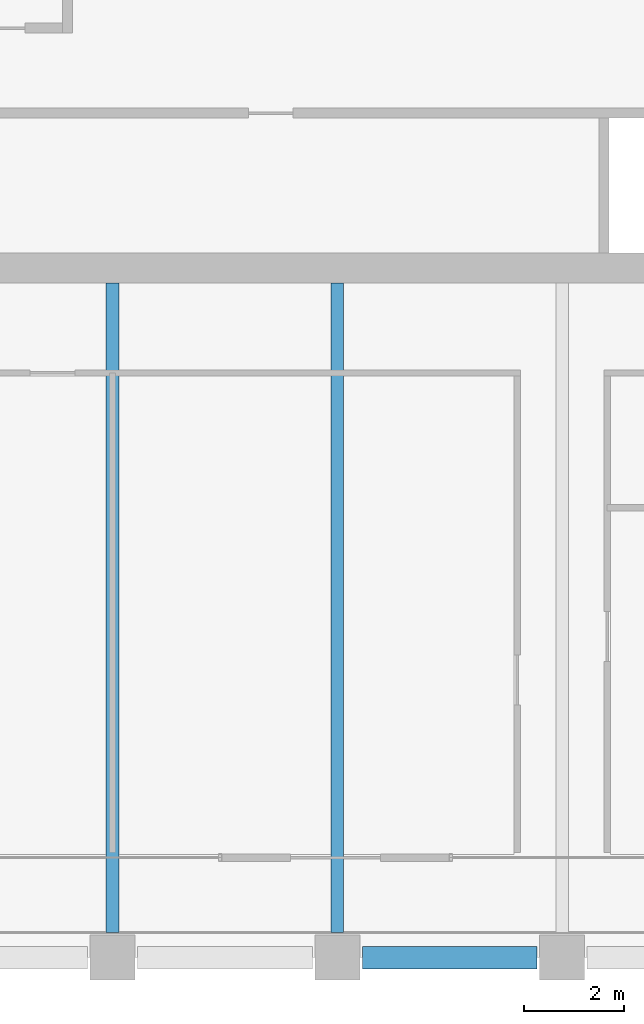
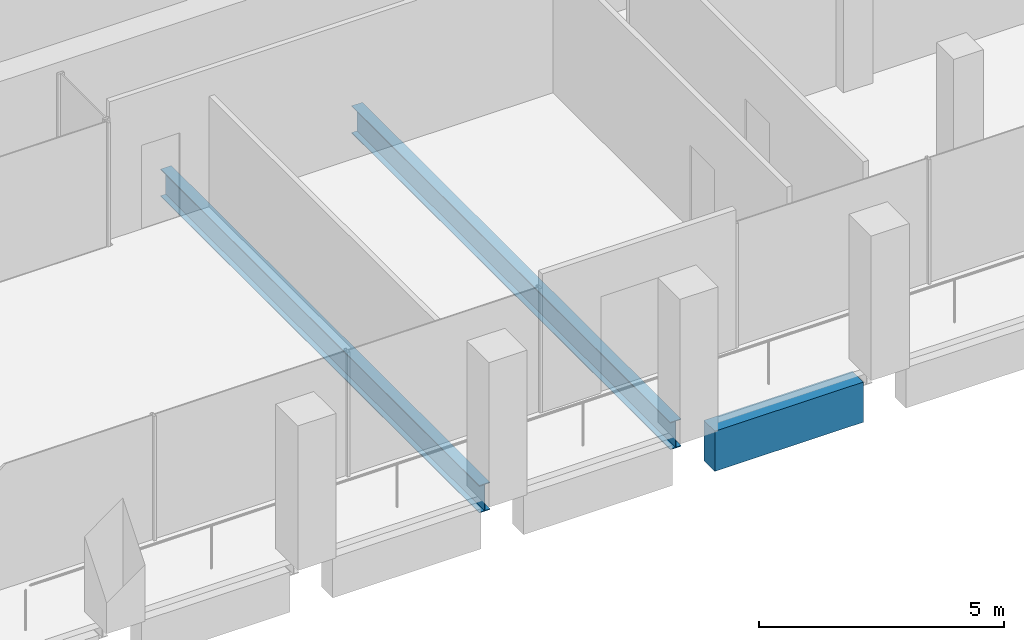
# One storey, part 8 of 44: 3 beams.
"""IFC4 building model written with IfcOpenShell, lengths in metres."""

import ifcopenshell
import ifcopenshell.guid

model = None  # the IFC model being written
_history = None  # IfcOwnerHistory: only IFC2X3 demands one
_inside = {}  # id of a spatial element -> (the spatial element, [elements in it])
_under = {}  # id of a project, library or spatial element -> (it, [spatial elements below it])
_declared = {}  # id of a project -> (the project, [libraries it declares])
_typed = {}  # id of a type object -> (the type object, [elements of that type])
_made_of = {}  # id of a material, layer set ... -> (it, [elements and type objects made of it])


def new_model(schema):
    """Start an empty IFC model of exactly this schema.

    Asked for "IFC4X3", IfcOpenShell would pick the latest addendum, in which some entities
    have other attributes; the version numbers below select the first issue.
    IFC2X3 requires an IfcOwnerHistory on every rooted entity: one is made here for all.
    """
    global model, _history
    if schema == "IFC4X3":
        model = ifcopenshell.file(schema_version=(4, 3, 0, 0))
    else:
        model = ifcopenshell.file(schema=schema)
    _inside.clear()
    _under.clear()
    _declared.clear()
    _typed.clear()
    _made_of.clear()
    _history = None
    if model.schema == "IFC2X3":
        org = make("IfcOrganization", Name="unknown")
        user = make(
            "IfcPersonAndOrganization",
            ThePerson=make("IfcPerson", FamilyName="unknown"),
            TheOrganization=org,
        )
        app = make(
            "IfcApplication",
            ApplicationDeveloper=org,
            Version="unknown",
            ApplicationFullName="unknown",
            ApplicationIdentifier="unknown",
        )
        _history = make(
            "IfcOwnerHistory",
            OwningUser=user,
            OwningApplication=app,
            ChangeAction="ADDED",
            CreationDate=0,
        )
    return model


def make(cls, **values):
    """One entity of the class cls with the attributes given. An attribute that is None is left unset."""
    return model.create_entity(
        cls, **{name: value for name, value in values.items() if value is not None}
    )


def rooted(cls, **values):
    """An entity with a GlobalId (a new one), such as an element, a storey or a relation."""
    return make(cls, GlobalId=ifcopenshell.guid.new(), OwnerHistory=_history, **values)


def si_unit(unit_type, name, prefix=None):
    """IfcSIUnit, for example si_unit("LENGTHUNIT", "METRE", prefix="MILLI")."""
    return make("IfcSIUnit", UnitType=unit_type, Prefix=prefix, Name=name)


def assignment(units):
    """IfcUnitAssignment: the units of a project."""
    return None if units is None else make("IfcUnitAssignment", Units=units)


def point(xyz):
    """IfcCartesianPoint."""
    return None if xyz is None else make("IfcCartesianPoint", Coordinates=xyz)


def direction(xyz):
    """IfcDirection."""
    return None if xyz is None else make("IfcDirection", DirectionRatios=xyz)


def frame(location, z_axis=None, x_axis=None):
    """IfcAxis2Placement3D, a coordinate frame: its origin and axes. An axis left out is left unset."""
    return make(
        "IfcAxis2Placement3D",
        Location=point(location),
        Axis=direction(z_axis),
        RefDirection=direction(x_axis),
    )


def frame_2d(location, x_axis=None):
    """IfcAxis2Placement2D, a coordinate frame in the plane: its origin and x axis."""
    return make(
        "IfcAxis2Placement2D", Location=point(location), RefDirection=direction(x_axis)
    )


def origin():
    """The frame at (0, 0, 0) with its axes left unset."""
    return frame((0.0, 0.0, 0.0))


def origin_2d():
    """The frame at (0, 0) in the plane with its x axis left unset."""
    return frame_2d((0.0, 0.0))


def place(relative_to, where):
    """IfcLocalPlacement: puts the frame where relative to a parent placement (None: the world)."""
    return make(
        "IfcLocalPlacement", PlacementRelTo=relative_to, RelativePlacement=where
    )


def context(
    kind, dimensions, precision=None, world=None, true_north=None, identifier=None
):
    """IfcGeometricRepresentationContext, for example the 3D "Model" context."""
    return make(
        "IfcGeometricRepresentationContext",
        ContextIdentifier=identifier,
        ContextType=kind,
        CoordinateSpaceDimension=dimensions,
        Precision=precision,
        WorldCoordinateSystem=world,
        TrueNorth=true_north,
    )


def subcontext(parent, identifier, kind, view, scale=None):
    """IfcGeometricRepresentationSubContext, for example "Body" below "Model"."""
    return make(
        "IfcGeometricRepresentationSubContext",
        ContextIdentifier=identifier,
        ContextType=kind,
        ParentContext=parent,
        TargetScale=scale,
        TargetView=view,
    )


def project(units=None, contexts=None):
    """IfcProject with its units and contexts."""
    return rooted(
        "IfcProject",
        Name="project",
        RepresentationContexts=contexts,
        UnitsInContext=assignment(units),
    )


def spatial(cls, under=None, at=None, **own):
    """A site, building, storey or space (cls), placed at a placement, below another one or the project."""
    s = rooted(cls, ObjectPlacement=at, **own)
    if under is not None:
        _under.setdefault(under.id(), (under, []))[1].append(s)
    return s


def profile(cls, at=None, kind="AREA", **sizes):
    """A parametric profile (cls). Its sizes go by their IFC names, for example OverallWidth=200.0."""
    return make(cls, ProfileType=kind, Position=at, **sizes)


def rectangle(**sizes):
    """IfcRectangleProfileDef."""
    return profile("IfcRectangleProfileDef", **sizes)


def i_section(**sizes):
    """IfcIShapeProfileDef."""
    return profile("IfcIShapeProfileDef", **sizes)


def extrude(swept, where, along, depth):
    """IfcExtrudedAreaSolid: the profile swept, set in the frame where, extruded along a direction by depth."""
    return make(
        "IfcExtrudedAreaSolid",
        SweptArea=swept,
        Position=where,
        ExtrudedDirection=direction(along),
        Depth=depth,
    )


def shape(context_of_items, identifier, shape_type, items):
    """IfcShapeRepresentation: the items that make up one representation, for example the "Body"."""
    return make(
        "IfcShapeRepresentation",
        ContextOfItems=context_of_items,
        RepresentationIdentifier=identifier,
        RepresentationType=shape_type,
        Items=items,
    )


def material(Name=None, Category=None):
    """IfcMaterial."""
    return make("IfcMaterial", Name=Name, Category=Category)


def material_profile(
    of_material, cross_section, Name=None, Category=None, Priority=None
):
    """IfcMaterialProfile: a cross section and its material."""
    return make(
        "IfcMaterialProfile",
        Name=Name,
        Material=of_material,
        Profile=cross_section,
        Priority=Priority,
        Category=Category,
    )


def profile_set(profiles, Name=None, composite=None):
    """IfcMaterialProfileSet."""
    return make(
        "IfcMaterialProfileSet",
        Name=Name,
        MaterialProfiles=profiles,
        CompositeProfile=composite,
    )


def made_of(thing, what):
    """Note that an element or type object is made of a material, layer set ...; save() writes the relation."""
    if what is not None:
        _made_of.setdefault(what.id(), (what, []))[1].append(thing)
    return thing


def type_object(cls, material=None, **own):
    """A type object (cls), such as IfcWallType, which elements share."""
    return made_of(rooted(cls, **own), material)


def element(
    cls,
    number,
    at=None,
    inside=None,
    cuts=None,
    type_object=None,
    material=None,
    context=None,
    identifier="Body",
    shape_type=None,
    held_by="IfcProductDefinitionShape",
    body=None,
    shapes=None,
    **own,
):
    """One element of the class cls, such as IfcWall. Its Tag is "e" and its number.

    at: its placement. inside: the storey or other place that contains it. cuts: it is an
    opening in that element (IfcRelVoidsElement). A single representation is given by context,
    identifier, shape_type and body (its items); several are given by shapes. held_by: the class
    of the entity that holds the representations. save() writes the other relations.
    """
    e = rooted(cls, Tag="e%d" % number, ObjectPlacement=at, **own)
    if body is not None:
        shapes = [shape(context, identifier, shape_type, body)]
    if shapes is not None:
        e.Representation = make(held_by, Representations=shapes)
    if inside is not None:
        _inside.setdefault(inside.id(), (inside, []))[1].append(e)
    if cuts is not None:
        rooted(
            "IfcRelVoidsElement", RelatingBuildingElement=cuts, RelatedOpeningElement=e
        )
    if type_object is not None:
        _typed.setdefault(type_object.id(), (type_object, []))[1].append(e)
    return made_of(e, material)


def aggregate(whole, parts):
    """IfcRelAggregates: a whole, such as a stair, and the parts it consists of."""
    return rooted("IfcRelAggregates", RelatingObject=whole, RelatedObjects=parts)


def save(model, path):
    """Write the relations noted so far, then the file.

    IfcRelAggregates (storeys below a building ...), IfcRelContainedInSpatialStructure (elements
    in a storey), IfcRelDefinesByType, IfcRelAssociatesMaterial and IfcRelDeclares: one each for
    every whole, place, type object, material and project.
    """
    for whole, parts in _under.values():
        aggregate(whole, parts)
    for where, things in _inside.values():
        rooted(
            "IfcRelContainedInSpatialStructure",
            RelatedElements=things,
            RelatingStructure=where,
        )
    for kind, things in _typed.values():
        rooted("IfcRelDefinesByType", RelatedObjects=things, RelatingType=kind)
    for what, things in _made_of.values():
        rooted("IfcRelAssociatesMaterial", RelatedObjects=things, RelatingMaterial=what)
    for by, libraries in _declared.values():
        rooted("IfcRelDeclares", RelatingContext=by, RelatedDefinitions=libraries)
    model.write(path)


model = new_model("IFC4")

# Units and contexts
model_context = context("Model", 3, precision=1e-05, world=origin(), true_north=direction((0.0, 1.0)))
body_context = subcontext(model_context, "Body", "Model", "MODEL_VIEW")
ifc_project = project(units=[si_unit("LENGTHUNIT", "METRE"), si_unit("AREAUNIT", "SQUARE_METRE"), si_unit("VOLUMEUNIT", "CUBIC_METRE"), si_unit("PLANEANGLEUNIT", "RADIAN"), si_unit("MASSUNIT", "GRAM", prefix="KILO")], contexts=[model_context])

# Site, building, storey
site_placement = place(None, origin())
site = spatial("IfcSite", under=ifc_project, at=site_placement, CompositionType="ELEMENT")
building_placement = place(site_placement, origin())
building = spatial("IfcBuilding", under=site, at=building_placement, Name="Altepetl Exchange Towers", CompositionType="ELEMENT")
storey_placement = place(building_placement, frame((0.0, 0.0, 143.800048828125)))
storey = spatial("IfcBuildingStorey", under=building, at=storey_placement, Name="L35", CompositionType="ELEMENT", Elevation=143.800048828125)

# Beams
ifc_material_1 = material(Name="Steel S355", Category="steel")
ifc_material_profile_1 = material_profile(ifc_material_1, i_section(OverallWidth=0.25390625, OverallDepth=0.68408203125, WebThickness=0.012451171875, FlangeThickness=0.018798828125, at=origin_2d()), Name="W27X94")
ifc_profile_set_1 = profile_set([ifc_material_profile_1], Name="Steel S355")
beam_type_1 = type_object("IfcBeamType", Name="Floor beam W27X94", PredefinedType="BEAM", material=ifc_profile_set_1)
for number, where, z_axis, x_axis, name in (
    (1, (45.0, 27.5, -0.491943359375), (0.0, 1.0, 0.0), (-1.0, 0.0, 0.0), "bm:A:L35:015"),
    (2, (49.5, 27.5, -0.491943359375), (0.0, 1.0, 0.0), (-1.0, 0.0, 0.0), "bm:A:L35:016"),
):
    element("IfcBeam", number, at=place(storey_placement, frame(where, z_axis=z_axis, x_axis=x_axis)), inside=storey, type_object=beam_type_1, Name=name, PredefinedType="BEAM", context=body_context, shape_type="SweptSolid", body=[
        extrude(i_section(OverallWidth=0.25390625, OverallDepth=0.68408203125, WebThickness=0.012451171875, FlangeThickness=0.018798828125, at=origin_2d()), origin(), (0.0, 0.0, 1.0), 13.0),
    ])
ifc_material_2 = material(Name="Concrete C50/60 precast with cantera blanca facing", Category="concrete")
ifc_material_profile_2 = material_profile(ifc_material_2, rectangle(XDim=0.449951171875, YDim=1.0, at=origin_2d()), Name="450 x 1000")
ifc_profile_set_2 = profile_set([ifc_material_profile_2], Name="Concrete C50/60 precast with cantera blanca facing")
beam_type_2 = type_object("IfcBeamType", Name="Spandrel beam 450x1000 cantera blanca", PredefinedType="SPANDREL", material=ifc_profile_set_2)
beam_placement = place(storey_placement, frame((50.0, 27.0, -0.650146484375), z_axis=(1.0, 0.0, 0.0), x_axis=(0.0, 1.0, 0.0)))
element("IfcBeam", 3, at=beam_placement, inside=storey, type_object=beam_type_2, Name="sp:A:L35:004", PredefinedType="SPANDREL", context=body_context, shape_type="SweptSolid", body=[
    extrude(rectangle(XDim=0.449951171875, YDim=1.0, at=origin_2d()), origin(), (0.0, 0.0, 1.0), 3.5),
])

save(model, "model.ifc")
